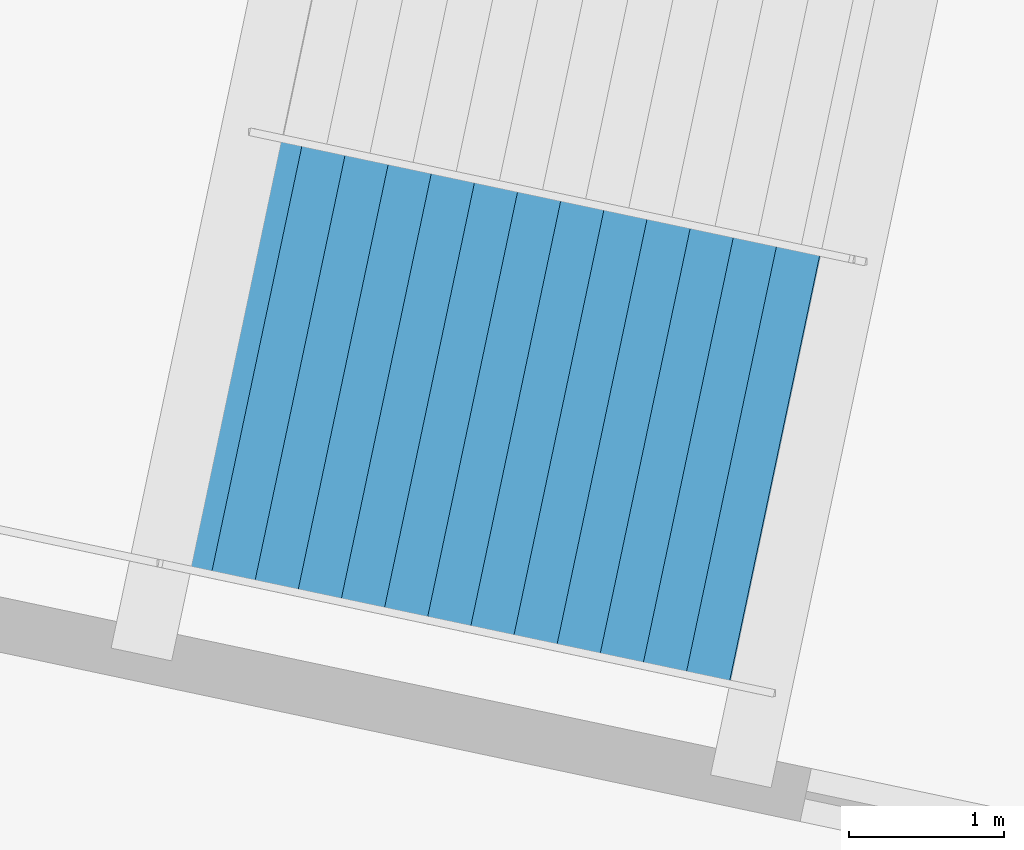
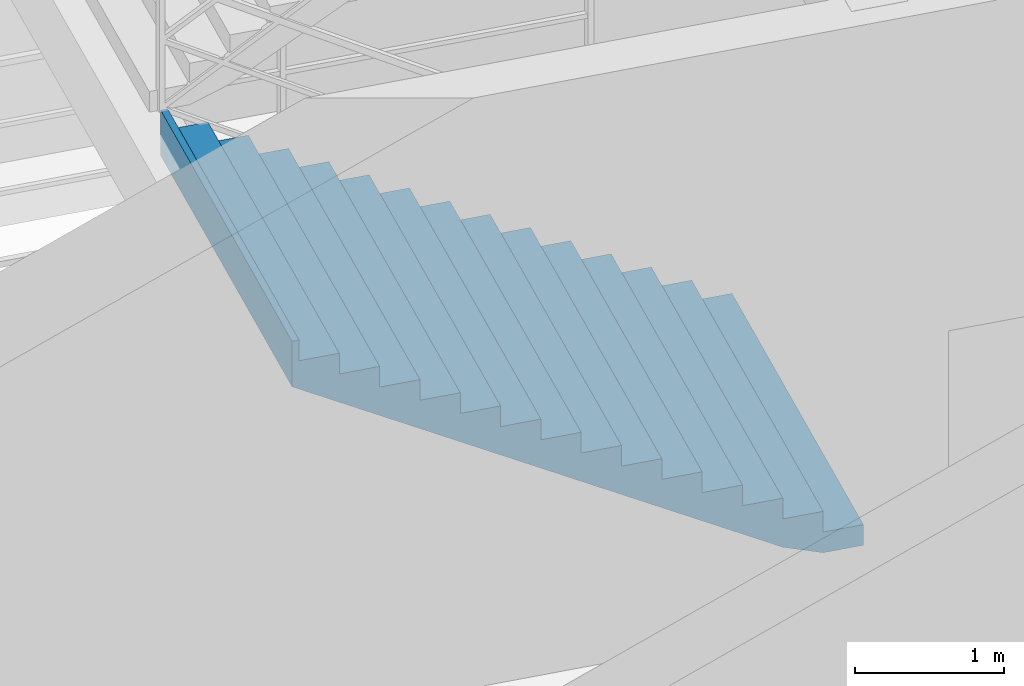
# One storey, part 175 of 184: 1 stair flight, 1 element without a shape of its own.
"""IFC4 building model written with IfcOpenShell, lengths in metres."""

from ifc_helpers import new_model, si_unit, direction, frame, origin, place, context, subcontext, project, spatial, polygons, material, type_object, element, aggregate, save


model = new_model("IFC4")

# Units and contexts
model_context = context("Model", 3, precision=1e-05, world=origin(), true_north=direction((0.0, 1.0)))
body_context = subcontext(model_context, "Body", "Model", "MODEL_VIEW")
ifc_project = project(units=[si_unit("LENGTHUNIT", "METRE"), si_unit("AREAUNIT", "SQUARE_METRE"), si_unit("VOLUMEUNIT", "CUBIC_METRE"), si_unit("PLANEANGLEUNIT", "RADIAN"), si_unit("MASSUNIT", "GRAM", prefix="KILO")], contexts=[model_context])

# Site, building, storey
site_placement = place(None, origin())
site = spatial("IfcSite", under=ifc_project, at=site_placement, CompositionType="ELEMENT")
building_placement = place(site_placement, origin())
building = spatial("IfcBuilding", under=site, at=building_placement, Name="Kazemori Nagisa Stadium", CompositionType="ELEMENT")
storey_placement = place(building_placement, frame((0.0, 0.0, 10.5400390625)))
storey = spatial("IfcBuildingStorey", under=building, at=storey_placement, Name="L02", CompositionType="ELEMENT", Elevation=10.5400390625)

# Stair, stair flight
ifc_material = material(Name="Concrete C36/45 (Fc36)", Category="concrete")
stair_type = type_object("IfcStairType", Name="Stair_CORE_30", PredefinedType="TWO_STRAIGHT_RUN_STAIR", material=ifc_material)
stair_placement = place(storey_placement, origin())
stair = element("IfcStair", 1, at=stair_placement, inside=storey, type_object=stair_type, Name="Exit stair ST11 L02", PredefinedType="TWO_STRAIGHT_RUN_STAIR")
stair_flight_type = type_object("IfcStairFlightType", Name="Flight_CORE_15", PredefinedType="STRAIGHT", material=ifc_material)
stair_flight_placement = place(storey_placement, frame((158.251953125, 176.464111328125, 0.0), z_axis=(0.0, 0.0, 1.0), x_axis=(-0.978340886774, 0.207000263929, 0.0)))
stair_flight = element("IfcStairFlight", 2, at=stair_flight_placement, type_object=stair_flight_type, Name="Exit stair ST11 L02 flight 1", NumberOfRisers=15, NumberOfTreads=14, PredefinedType="STRAIGHT", RiserHeight=0.17, TreadLength=0.285, context=body_context, shape_type="Tessellation", body=[
    polygons([(0.0, -1.425048828125, 0.0), (0.0, -1.425048828125, 0.169921875), (0.284912109375, -1.425048828125, 0.169921875), (0.284912109375, -1.425048828125, 0.340087890625), (0.570068359375, -1.425048828125, 0.340087890625), (0.570068359375, -1.425048828125, 0.510009765625), (0.85498046875, -1.425048828125, 0.510009765625), (0.85498046875, -1.425048828125, 0.679931640625), (1.139892578125, -1.425048828125, 0.679931640625), (1.139892578125, -1.425048828125, 0.85009765625), (1.425048828125, -1.425048828125, 0.85009765625), (1.425048828125, -1.425048828125, 1.02001953125), (1.7099609375, -1.425048828125, 1.02001953125), (1.7099609375, -1.425048828125, 1.18994140625), (1.9951171875, -1.425048828125, 1.18994140625), (1.9951171875, -1.425048828125, 1.360107421875), (2.280029296875, -1.425048828125, 1.360107421875), (2.280029296875, -1.425048828125, 1.530029296875), (2.56494140625, -1.425048828125, 1.530029296875), (2.56494140625, -1.425048828125, 1.699951171875), (2.85009765625, -1.425048828125, 1.699951171875), (2.85009765625, -1.425048828125, 1.8701171875), (3.135009765625, -1.425048828125, 1.8701171875), (3.135009765625, -1.425048828125, 2.0400390625), (3.419921875, -1.425048828125, 2.0400390625), (3.419921875, -1.425048828125, 2.2099609375), (3.705078125, -1.425048828125, 2.2099609375), (3.705078125, -1.425048828125, 2.3798828125), (3.989990234375, -1.425048828125, 2.3798828125), (3.989990234375, -1.425048828125, 2.550048828125), (4.0400390625, -1.425048828125, 2.550048828125), (4.0400390625, -1.425048828125, 2.177001953125), (3.989990234375, -1.425048828125, 2.147216796875), (3.705078125, -1.425048828125, 1.977294921875), (3.419921875, -1.425048828125, 1.80712890625), (3.135009765625, -1.425048828125, 1.63720703125), (2.85009765625, -1.425048828125, 1.46728515625), (2.56494140625, -1.425048828125, 1.297119140625), (2.280029296875, -1.425048828125, 1.127197265625), (1.9951171875, -1.425048828125, 0.957275390625), (1.7099609375, -1.425048828125, 0.787109375), (1.425048828125, -1.425048828125, 0.6171875), (1.139892578125, -1.425048828125, 0.447265625), (0.85498046875, -1.425048828125, 0.277099609375), (0.570068359375, -1.425048828125, 0.107177734375), (0.284912109375, -1.425048828125, 0.0), (0.0, -0.08544921875, 0.0), (0.0, -0.08544921875, 0.169921875), (0.284912109375, -0.08544921875, 0.169921875), (0.284912109375, -0.08544921875, 0.340087890625), (0.570068359375, -0.08544921875, 0.340087890625), (0.570068359375, -0.08544921875, 0.510009765625), (0.85498046875, -0.08544921875, 0.510009765625), (0.85498046875, -0.08544921875, 0.679931640625), (1.139892578125, -0.08544921875, 0.679931640625), (1.139892578125, -0.08544921875, 0.85009765625), (1.425048828125, -0.08544921875, 0.85009765625), (1.425048828125, -0.08544921875, 1.02001953125), (1.7099609375, -0.08544921875, 1.02001953125), (1.7099609375, -0.08544921875, 1.18994140625), (1.9951171875, -0.08544921875, 1.18994140625), (1.9951171875, -0.08544921875, 1.360107421875), (2.280029296875, -0.08544921875, 1.360107421875), (2.280029296875, -0.08544921875, 1.530029296875), (2.56494140625, -0.08544921875, 1.530029296875), (2.56494140625, -0.08544921875, 1.699951171875), (2.85009765625, -0.08544921875, 1.699951171875), (2.85009765625, -0.08544921875, 1.8701171875), (3.135009765625, -0.08544921875, 1.8701171875), (3.135009765625, -0.08544921875, 2.0400390625), (3.419921875, -0.08544921875, 2.0400390625), (3.419921875, -0.08544921875, 2.2099609375), (3.705078125, -0.08544921875, 2.2099609375), (3.705078125, -0.08544921875, 2.3798828125), (3.989990234375, -0.08544921875, 2.3798828125), (3.989990234375, -0.08544921875, 2.550048828125), (4.0400390625, -0.08544921875, 2.550048828125), (4.0400390625, -0.08544921875, 2.177001953125), (3.989990234375, -0.08544921875, 2.147216796875), (3.705078125, -0.08544921875, 1.977294921875), (3.419921875, -0.08544921875, 1.80712890625), (3.135009765625, -0.08544921875, 1.63720703125), (2.85009765625, -0.08544921875, 1.46728515625), (2.56494140625, -0.08544921875, 1.297119140625), (2.280029296875, -0.08544921875, 1.127197265625), (1.9951171875, -0.08544921875, 0.957275390625), (1.7099609375, -0.08544921875, 0.787109375), (1.425048828125, -0.08544921875, 0.6171875), (1.139892578125, -0.08544921875, 0.447265625), (0.85498046875, -0.08544921875, 0.277099609375), (0.570068359375, -0.08544921875, 0.107177734375), (0.284912109375, -0.08544921875, 0.0), (0.0, 0.0, 0.0), (0.0, 0.0, 0.169921875), (0.284912109375, 0.0, 0.169921875), (0.284912109375, 0.0, 0.340087890625), (0.570068359375, 0.0, 0.340087890625), (0.570068359375, 0.0, 0.510009765625), (0.85498046875, 0.0, 0.510009765625), (0.85498046875, 0.0, 0.679931640625), (1.139892578125, 0.0, 0.679931640625), (1.139892578125, 0.0, 0.85009765625), (1.425048828125, 0.0, 0.85009765625), (1.425048828125, 0.0, 1.02001953125), (1.7099609375, 0.0, 1.02001953125), (1.7099609375, 0.0, 1.18994140625), (1.9951171875, 0.0, 1.18994140625), (1.9951171875, 0.0, 1.360107421875), (2.280029296875, 0.0, 1.360107421875), (2.280029296875, 0.0, 1.530029296875), (2.56494140625, 0.0, 1.530029296875), (2.56494140625, 0.0, 1.699951171875), (2.85009765625, 0.0, 1.699951171875), (2.85009765625, 0.0, 1.8701171875), (3.135009765625, 0.0, 1.8701171875), (3.135009765625, 0.0, 2.0400390625), (3.419921875, 0.0, 2.0400390625), (3.419921875, 0.0, 2.2099609375), (3.705078125, 0.0, 2.2099609375), (3.705078125, 0.0, 2.3798828125), (3.989990234375, 0.0, 2.3798828125), (3.989990234375, 0.0, 2.550048828125), (4.0400390625, 0.0, 2.550048828125), (4.0400390625, 0.0, 2.177001953125), (3.989990234375, 0.0, 2.147216796875), (3.705078125, 0.0, 1.977294921875), (3.419921875, 0.0, 1.80712890625), (3.135009765625, 0.0, 1.63720703125), (2.85009765625, 0.0, 1.46728515625), (2.56494140625, 0.0, 1.297119140625), (2.280029296875, 0.0, 1.127197265625), (1.9951171875, 0.0, 0.957275390625), (1.7099609375, 0.0, 0.787109375), (1.425048828125, 0.0, 0.6171875), (1.139892578125, 0.0, 0.447265625), (0.85498046875, 0.0, 0.277099609375), (0.570068359375, 0.0, 0.107177734375), (0.284912109375, 0.0, 0.0), (0.0, 0.08544921875, 0.0), (0.0, 0.08544921875, 0.169921875), (0.284912109375, 0.08544921875, 0.169921875), (0.284912109375, 0.08544921875, 0.340087890625), (0.570068359375, 0.08544921875, 0.340087890625), (0.570068359375, 0.08544921875, 0.510009765625), (0.85498046875, 0.08544921875, 0.510009765625), (0.85498046875, 0.08544921875, 0.679931640625), (1.139892578125, 0.08544921875, 0.679931640625), (1.139892578125, 0.08544921875, 0.85009765625), (1.425048828125, 0.08544921875, 0.85009765625), (1.425048828125, 0.08544921875, 1.02001953125), (1.7099609375, 0.08544921875, 1.02001953125), (1.7099609375, 0.08544921875, 1.18994140625), (1.9951171875, 0.08544921875, 1.18994140625), (1.9951171875, 0.08544921875, 1.360107421875), (2.280029296875, 0.08544921875, 1.360107421875), (2.280029296875, 0.08544921875, 1.530029296875), (2.56494140625, 0.08544921875, 1.530029296875), (2.56494140625, 0.08544921875, 1.699951171875), (2.85009765625, 0.08544921875, 1.699951171875), (2.85009765625, 0.08544921875, 1.8701171875), (3.135009765625, 0.08544921875, 1.8701171875), (3.135009765625, 0.08544921875, 2.0400390625), (3.419921875, 0.08544921875, 2.0400390625), (3.419921875, 0.08544921875, 2.2099609375), (3.705078125, 0.08544921875, 2.2099609375), (3.705078125, 0.08544921875, 2.3798828125), (3.989990234375, 0.08544921875, 2.3798828125), (3.989990234375, 0.08544921875, 2.550048828125), (4.0400390625, 0.08544921875, 2.550048828125), (4.0400390625, 0.08544921875, 2.177001953125), (3.989990234375, 0.08544921875, 2.147216796875), (3.705078125, 0.08544921875, 1.977294921875), (3.419921875, 0.08544921875, 1.80712890625), (3.135009765625, 0.08544921875, 1.63720703125), (2.85009765625, 0.08544921875, 1.46728515625), (2.56494140625, 0.08544921875, 1.297119140625), (2.280029296875, 0.08544921875, 1.127197265625), (1.9951171875, 0.08544921875, 0.957275390625), (1.7099609375, 0.08544921875, 0.787109375), (1.425048828125, 0.08544921875, 0.6171875), (1.139892578125, 0.08544921875, 0.447265625), (0.85498046875, 0.08544921875, 0.277099609375), (0.570068359375, 0.08544921875, 0.107177734375), (0.284912109375, 0.08544921875, 0.0), (0.0, 1.425048828125, 0.0), (0.0, 1.425048828125, 0.169921875), (0.284912109375, 1.425048828125, 0.169921875), (0.284912109375, 1.425048828125, 0.340087890625), (0.570068359375, 1.425048828125, 0.340087890625), (0.570068359375, 1.425048828125, 0.510009765625), (0.85498046875, 1.425048828125, 0.510009765625), (0.85498046875, 1.425048828125, 0.679931640625), (1.139892578125, 1.425048828125, 0.679931640625), (1.139892578125, 1.425048828125, 0.85009765625), (1.425048828125, 1.425048828125, 0.85009765625), (1.425048828125, 1.425048828125, 1.02001953125), (1.7099609375, 1.425048828125, 1.02001953125), (1.7099609375, 1.425048828125, 1.18994140625), (1.9951171875, 1.425048828125, 1.18994140625), (1.9951171875, 1.425048828125, 1.360107421875), (2.280029296875, 1.425048828125, 1.360107421875), (2.280029296875, 1.425048828125, 1.530029296875), (2.56494140625, 1.425048828125, 1.530029296875), (2.56494140625, 1.425048828125, 1.699951171875), (2.85009765625, 1.425048828125, 1.699951171875), (2.85009765625, 1.425048828125, 1.8701171875), (3.135009765625, 1.425048828125, 1.8701171875), (3.135009765625, 1.425048828125, 2.0400390625), (3.419921875, 1.425048828125, 2.0400390625), (3.419921875, 1.425048828125, 2.2099609375), (3.705078125, 1.425048828125, 2.2099609375), (3.705078125, 1.425048828125, 2.3798828125), (3.989990234375, 1.425048828125, 2.3798828125), (3.989990234375, 1.425048828125, 2.550048828125), (4.0400390625, 1.425048828125, 2.550048828125), (4.0400390625, 1.425048828125, 2.177001953125), (3.989990234375, 1.425048828125, 2.147216796875), (3.705078125, 1.425048828125, 1.977294921875), (3.419921875, 1.425048828125, 1.80712890625), (3.135009765625, 1.425048828125, 1.63720703125), (2.85009765625, 1.425048828125, 1.46728515625), (2.56494140625, 1.425048828125, 1.297119140625), (2.280029296875, 1.425048828125, 1.127197265625), (1.9951171875, 1.425048828125, 0.957275390625), (1.7099609375, 1.425048828125, 0.787109375), (1.425048828125, 1.425048828125, 0.6171875), (1.139892578125, 1.425048828125, 0.447265625), (0.85498046875, 1.425048828125, 0.277099609375), (0.570068359375, 1.425048828125, 0.107177734375), (0.284912109375, 1.425048828125, 0.0)], [[[1, 2, 48]], [[1, 48, 47]], [[2, 3, 49]], [[2, 49, 48]], [[3, 4, 50]], [[3, 50, 49]], [[4, 5, 51]], [[4, 51, 50]], [[5, 6, 52]], [[5, 52, 51]], [[6, 7, 53]], [[6, 53, 52]], [[7, 8, 54]], [[7, 54, 53]], [[8, 9, 55]], [[8, 55, 54]], [[9, 10, 56]], [[9, 56, 55]], [[10, 11, 57]], [[10, 57, 56]], [[11, 12, 58]], [[11, 58, 57]], [[12, 13, 59]], [[12, 59, 58]], [[13, 14, 60]], [[13, 60, 59]], [[14, 15, 61]], [[14, 61, 60]], [[15, 16, 62]], [[15, 62, 61]], [[16, 17, 63]], [[16, 63, 62]], [[17, 18, 64]], [[17, 64, 63]], [[18, 19, 65]], [[18, 65, 64]], [[19, 20, 66]], [[19, 66, 65]], [[20, 21, 67]], [[20, 67, 66]], [[21, 22, 68]], [[21, 68, 67]], [[22, 23, 69]], [[22, 69, 68]], [[23, 24, 70]], [[23, 70, 69]], [[24, 25, 71]], [[24, 71, 70]], [[25, 26, 72]], [[25, 72, 71]], [[26, 27, 73]], [[26, 73, 72]], [[27, 28, 74]], [[27, 74, 73]], [[28, 29, 75]], [[28, 75, 74]], [[29, 30, 76]], [[29, 76, 75]], [[30, 31, 77]], [[30, 77, 76]], [[31, 32, 78]], [[31, 78, 77]], [[32, 33, 79]], [[32, 79, 78]], [[33, 34, 80]], [[33, 80, 79]], [[34, 35, 81]], [[34, 81, 80]], [[35, 36, 82]], [[35, 82, 81]], [[36, 37, 83]], [[36, 83, 82]], [[37, 38, 84]], [[37, 84, 83]], [[38, 39, 85]], [[38, 85, 84]], [[39, 40, 86]], [[39, 86, 85]], [[40, 41, 87]], [[40, 87, 86]], [[41, 42, 88]], [[41, 88, 87]], [[42, 43, 89]], [[42, 89, 88]], [[43, 44, 90]], [[43, 90, 89]], [[44, 45, 91]], [[44, 91, 90]], [[45, 46, 92]], [[45, 92, 91]], [[46, 1, 47]], [[46, 47, 92]], [[47, 48, 94]], [[47, 94, 93]], [[48, 49, 95]], [[48, 95, 94]], [[49, 50, 96]], [[49, 96, 95]], [[50, 51, 97]], [[50, 97, 96]], [[51, 52, 98]], [[51, 98, 97]], [[52, 53, 99]], [[52, 99, 98]], [[53, 54, 100]], [[53, 100, 99]], [[54, 55, 101]], [[54, 101, 100]], [[55, 56, 102]], [[55, 102, 101]], [[56, 57, 103]], [[56, 103, 102]], [[57, 58, 104]], [[57, 104, 103]], [[58, 59, 105]], [[58, 105, 104]], [[59, 60, 106]], [[59, 106, 105]], [[60, 61, 107]], [[60, 107, 106]], [[61, 62, 108]], [[61, 108, 107]], [[62, 63, 109]], [[62, 109, 108]], [[63, 64, 110]], [[63, 110, 109]], [[64, 65, 111]], [[64, 111, 110]], [[65, 66, 112]], [[65, 112, 111]], [[66, 67, 113]], [[66, 113, 112]], [[67, 68, 114]], [[67, 114, 113]], [[68, 69, 115]], [[68, 115, 114]], [[69, 70, 116]], [[69, 116, 115]], [[70, 71, 117]], [[70, 117, 116]], [[71, 72, 118]], [[71, 118, 117]], [[72, 73, 119]], [[72, 119, 118]], [[73, 74, 120]], [[73, 120, 119]], [[74, 75, 121]], [[74, 121, 120]], [[75, 76, 122]], [[75, 122, 121]], [[76, 77, 123]], [[76, 123, 122]], [[77, 78, 124]], [[77, 124, 123]], [[78, 79, 125]], [[78, 125, 124]], [[79, 80, 126]], [[79, 126, 125]], [[80, 81, 127]], [[80, 127, 126]], [[81, 82, 128]], [[81, 128, 127]], [[82, 83, 129]], [[82, 129, 128]], [[83, 84, 130]], [[83, 130, 129]], [[84, 85, 131]], [[84, 131, 130]], [[85, 86, 132]], [[85, 132, 131]], [[86, 87, 133]], [[86, 133, 132]], [[87, 88, 134]], [[87, 134, 133]], [[88, 89, 135]], [[88, 135, 134]], [[89, 90, 136]], [[89, 136, 135]], [[90, 91, 137]], [[90, 137, 136]], [[91, 92, 138]], [[91, 138, 137]], [[92, 47, 93]], [[92, 93, 138]], [[93, 94, 140]], [[93, 140, 139]], [[94, 95, 141]], [[94, 141, 140]], [[95, 96, 142]], [[95, 142, 141]], [[96, 97, 143]], [[96, 143, 142]], [[97, 98, 144]], [[97, 144, 143]], [[98, 99, 145]], [[98, 145, 144]], [[99, 100, 146]], [[99, 146, 145]], [[100, 101, 147]], [[100, 147, 146]], [[101, 102, 148]], [[101, 148, 147]], [[102, 103, 149]], [[102, 149, 148]], [[103, 104, 150]], [[103, 150, 149]], [[104, 105, 151]], [[104, 151, 150]], [[105, 106, 152]], [[105, 152, 151]], [[106, 107, 153]], [[106, 153, 152]], [[107, 108, 154]], [[107, 154, 153]], [[108, 109, 155]], [[108, 155, 154]], [[109, 110, 156]], [[109, 156, 155]], [[110, 111, 157]], [[110, 157, 156]], [[111, 112, 158]], [[111, 158, 157]], [[112, 113, 159]], [[112, 159, 158]], [[113, 114, 160]], [[113, 160, 159]], [[114, 115, 161]], [[114, 161, 160]], [[115, 116, 162]], [[115, 162, 161]], [[116, 117, 163]], [[116, 163, 162]], [[117, 118, 164]], [[117, 164, 163]], [[118, 119, 165]], [[118, 165, 164]], [[119, 120, 166]], [[119, 166, 165]], [[120, 121, 167]], [[120, 167, 166]], [[121, 122, 168]], [[121, 168, 167]], [[122, 123, 169]], [[122, 169, 168]], [[123, 124, 170]], [[123, 170, 169]], [[124, 125, 171]], [[124, 171, 170]], [[125, 126, 172]], [[125, 172, 171]], [[126, 127, 173]], [[126, 173, 172]], [[127, 128, 174]], [[127, 174, 173]], [[128, 129, 175]], [[128, 175, 174]], [[129, 130, 176]], [[129, 176, 175]], [[130, 131, 177]], [[130, 177, 176]], [[131, 132, 178]], [[131, 178, 177]], [[132, 133, 179]], [[132, 179, 178]], [[133, 134, 180]], [[133, 180, 179]], [[134, 135, 181]], [[134, 181, 180]], [[135, 136, 182]], [[135, 182, 181]], [[136, 137, 183]], [[136, 183, 182]], [[137, 138, 184]], [[137, 184, 183]], [[138, 93, 139]], [[138, 139, 184]], [[139, 140, 186]], [[139, 186, 185]], [[140, 141, 187]], [[140, 187, 186]], [[141, 142, 188]], [[141, 188, 187]], [[142, 143, 189]], [[142, 189, 188]], [[143, 144, 190]], [[143, 190, 189]], [[144, 145, 191]], [[144, 191, 190]], [[145, 146, 192]], [[145, 192, 191]], [[146, 147, 193]], [[146, 193, 192]], [[147, 148, 194]], [[147, 194, 193]], [[148, 149, 195]], [[148, 195, 194]], [[149, 150, 196]], [[149, 196, 195]], [[150, 151, 197]], [[150, 197, 196]], [[151, 152, 198]], [[151, 198, 197]], [[152, 153, 199]], [[152, 199, 198]], [[153, 154, 200]], [[153, 200, 199]], [[154, 155, 201]], [[154, 201, 200]], [[155, 156, 202]], [[155, 202, 201]], [[156, 157, 203]], [[156, 203, 202]], [[157, 158, 204]], [[157, 204, 203]], [[158, 159, 205]], [[158, 205, 204]], [[159, 160, 206]], [[159, 206, 205]], [[160, 161, 207]], [[160, 207, 206]], [[161, 162, 208]], [[161, 208, 207]], [[162, 163, 209]], [[162, 209, 208]], [[163, 164, 210]], [[163, 210, 209]], [[164, 165, 211]], [[164, 211, 210]], [[165, 166, 212]], [[165, 212, 211]], [[166, 167, 213]], [[166, 213, 212]], [[167, 168, 214]], [[167, 214, 213]], [[168, 169, 215]], [[168, 215, 214]], [[169, 170, 216]], [[169, 216, 215]], [[170, 171, 217]], [[170, 217, 216]], [[171, 172, 218]], [[171, 218, 217]], [[172, 173, 219]], [[172, 219, 218]], [[173, 174, 220]], [[173, 220, 219]], [[174, 175, 221]], [[174, 221, 220]], [[175, 176, 222]], [[175, 222, 221]], [[176, 177, 223]], [[176, 223, 222]], [[177, 178, 224]], [[177, 224, 223]], [[178, 179, 225]], [[178, 225, 224]], [[179, 180, 226]], [[179, 226, 225]], [[180, 181, 227]], [[180, 227, 226]], [[181, 182, 228]], [[181, 228, 227]], [[182, 183, 229]], [[182, 229, 228]], [[183, 184, 230]], [[183, 230, 229]], [[184, 139, 185]], [[184, 185, 230]], [[3, 2, 1]], [[185, 186, 187]], [[46, 3, 1]], [[185, 187, 230]], [[45, 3, 46]], [[230, 187, 229]], [[5, 3, 45]], [[229, 187, 189]], [[5, 4, 3]], [[187, 188, 189]], [[44, 5, 45]], [[229, 189, 228]], [[7, 5, 44]], [[228, 189, 191]], [[7, 6, 5]], [[189, 190, 191]], [[43, 7, 44]], [[228, 191, 227]], [[9, 7, 43]], [[227, 191, 193]], [[9, 8, 7]], [[191, 192, 193]], [[42, 9, 43]], [[227, 193, 226]], [[11, 9, 42]], [[226, 193, 195]], [[11, 10, 9]], [[193, 194, 195]], [[41, 11, 42]], [[226, 195, 225]], [[13, 11, 41]], [[225, 195, 197]], [[13, 12, 11]], [[195, 196, 197]], [[40, 13, 41]], [[225, 197, 224]], [[15, 13, 40]], [[224, 197, 199]], [[15, 14, 13]], [[197, 198, 199]], [[39, 15, 40]], [[224, 199, 223]], [[17, 15, 39]], [[223, 199, 201]], [[17, 16, 15]], [[199, 200, 201]], [[38, 17, 39]], [[223, 201, 222]], [[19, 17, 38]], [[222, 201, 203]], [[19, 18, 17]], [[201, 202, 203]], [[37, 19, 38]], [[222, 203, 221]], [[21, 19, 37]], [[221, 203, 205]], [[21, 20, 19]], [[203, 204, 205]], [[36, 21, 37]], [[221, 205, 220]], [[23, 21, 36]], [[220, 205, 207]], [[23, 22, 21]], [[205, 206, 207]], [[35, 23, 36]], [[220, 207, 219]], [[25, 23, 35]], [[219, 207, 209]], [[25, 24, 23]], [[207, 208, 209]], [[34, 25, 35]], [[219, 209, 218]], [[27, 25, 34]], [[218, 209, 211]], [[27, 26, 25]], [[209, 210, 211]], [[33, 27, 34]], [[218, 211, 217]], [[29, 27, 33]], [[217, 211, 213]], [[29, 28, 27]], [[211, 212, 213]], [[32, 29, 33]], [[217, 213, 216]], [[31, 29, 32]], [[216, 213, 215]], [[31, 30, 29]], [[213, 214, 215]]], closed=True),
])
aggregate(stair, [stair_flight])

save(model, "model.ifc")
